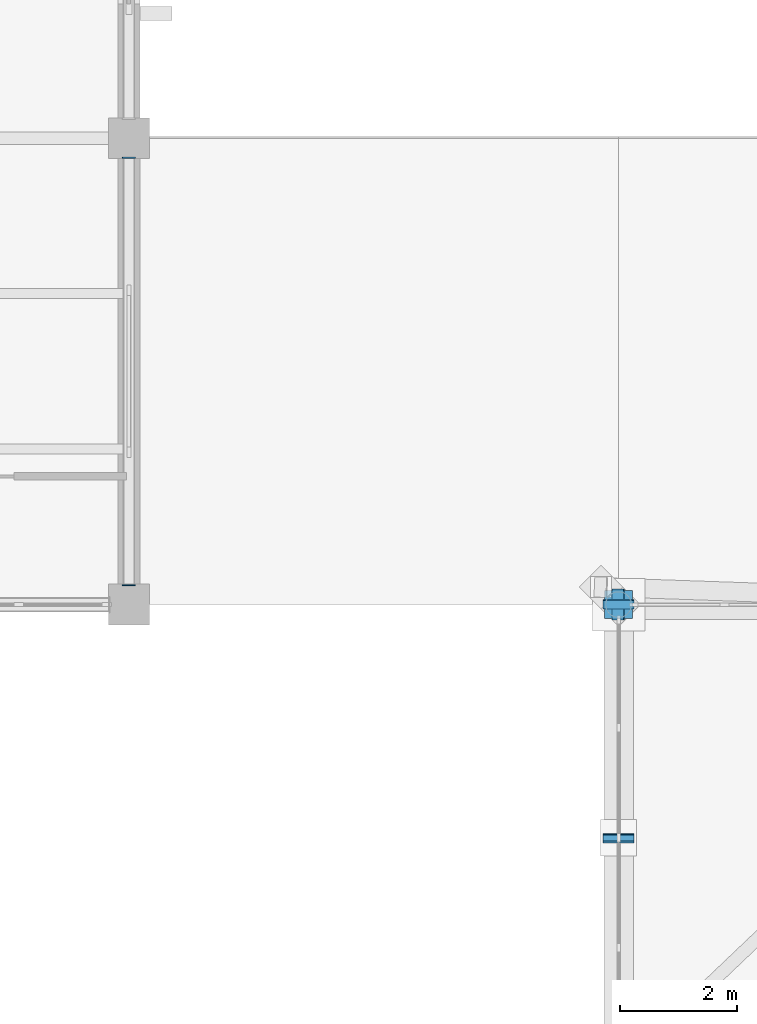
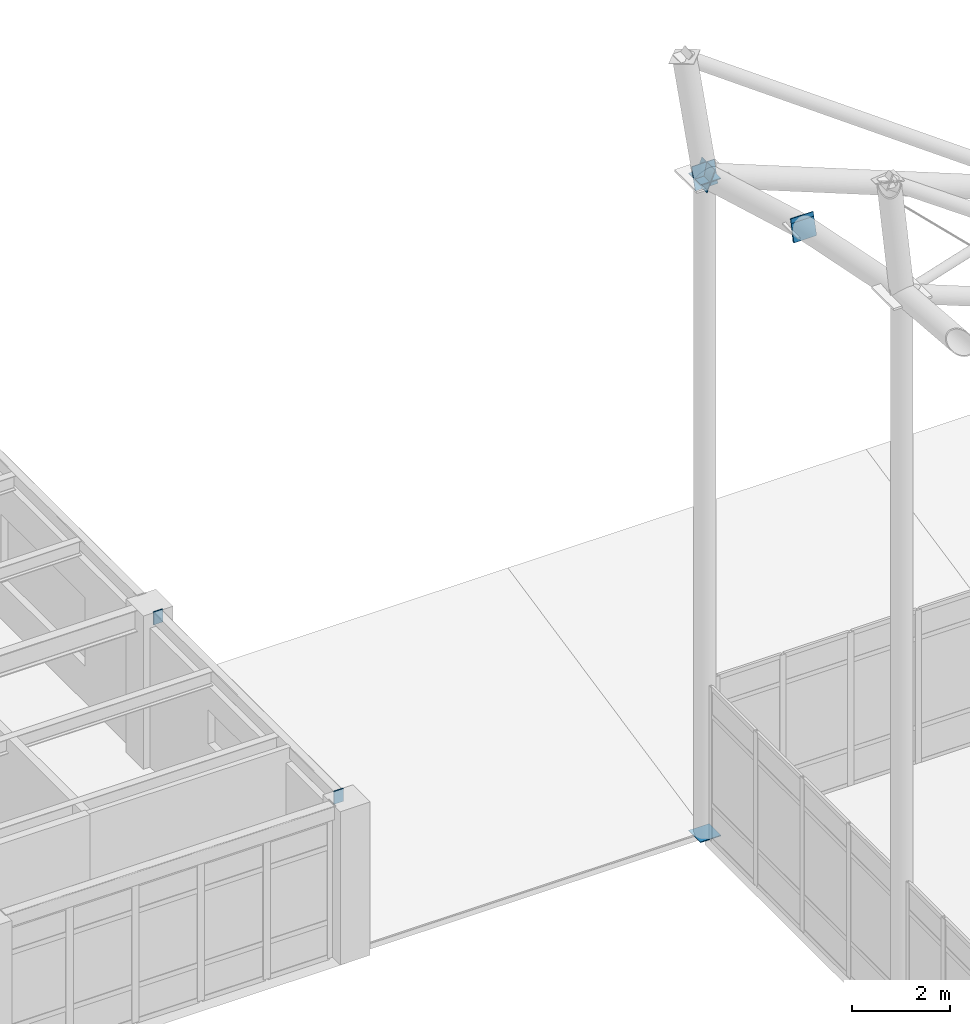
# One storey, part 104 of 138: 8 discrete accessories.
"""IFC4 building model written with IfcOpenShell, lengths in metres."""

from ifc_helpers import new_model, si_unit, direction, frame, origin, origin_2d, place, context, subcontext, project, spatial, rectangle, extrude, material, layer, layer_set, type_object, element, save


model = new_model("IFC4")

# Units and contexts
model_context = context("Model", 3, precision=1e-05, world=origin(), true_north=direction((0.0, 1.0)))
body_context = subcontext(model_context, "Body", "Model", "MODEL_VIEW")
ifc_project = project(units=[si_unit("LENGTHUNIT", "METRE"), si_unit("AREAUNIT", "SQUARE_METRE"), si_unit("VOLUMEUNIT", "CUBIC_METRE"), si_unit("PLANEANGLEUNIT", "RADIAN"), si_unit("MASSUNIT", "GRAM", prefix="KILO")], contexts=[model_context])

# Site, building, storey
site_placement = place(None, origin())
site = spatial("IfcSite", under=ifc_project, at=site_placement, CompositionType="ELEMENT")
building_placement = place(site_placement, origin())
building = spatial("IfcBuilding", under=site, at=building_placement, Name="Kranzveld Transit Interchange", CompositionType="ELEMENT")
storey_placement = place(building_placement, frame((0.0, 0.0, 5.43994140625)))
storey = spatial("IfcBuildingStorey", under=building, at=storey_placement, Name="L01", CompositionType="ELEMENT", Elevation=5.43994140625)

# Discrete accessories
ifc_material = material(Name="Steel S355JR", Category="steel")
ifc_layer = layer(ifc_material, 0.02001953125)
ifc_layer_set = layer_set([ifc_layer], Name="Steel S355JR")
discrete_accessory_type = type_object("IfcDiscreteAccessoryType", Name="Hollow Section End Cap Bracket 20 S355JR", PredefinedType="BRACKET", material=ifc_layer_set)
for number, where, z_axis, x_axis, name in (
    (1, (58.800048828125, 88.0, 0.004150390625), (0.0, 0.0, -1.0), (1.0, 0.0, 0.0), "Hollow Section End Cap C-CHS457-1"),
    (2, (58.800048828125, 88.0, 16.276123046875), (0.0, 0.0, 1.0), (1.0, 0.0, 0.0), "Hollow Section End Cap C-CHS457-2"),
):
    element("IfcDiscreteAccessory", number, at=place(storey_placement, frame(where, z_axis=z_axis, x_axis=x_axis)), inside=storey, type_object=discrete_accessory_type, Name=name, PredefinedType="BRACKET", context=body_context, shape_type="SweptSolid", body=[
        extrude(rectangle(XDim=0.48095703125, YDim=0.48095703125, at=origin_2d()), origin(), (0.0, 0.0, 1.0), 0.02001953125),
    ])
for number, where, z_axis, x_axis, name in (
    (3, (50.39990234375, 88.343994140625, 3.650146484375), (0.0, -1.0, 0.0), (1.0, 0.0, 0.0), "Hollow Section End Cap SP-RHS300-1"),
    (4, (50.39990234375, 95.656005859375, 3.650146484375), (0.0, 1.0, 0.0), (-1.0, 0.0, 0.0), "Hollow Section End Cap SP-RHS300-2"),
):
    element("IfcDiscreteAccessory", number, at=place(storey_placement, frame(where, z_axis=z_axis, x_axis=x_axis)), inside=storey, type_object=discrete_accessory_type, Name=name, PredefinedType="BRACKET", context=body_context, shape_type="SweptSolid", body=[
        extrude(rectangle(XDim=0.22412109375, YDim=0.323974609375, at=origin_2d()), origin(), (0.0, 0.0, 1.0), 0.02001953125),
    ])
for number, where, z_axis, x_axis, name in (
    (5, (58.8037109375, 88.0, 16.30859375), (-0.930155221331, 0.0, 0.367166534736), (0.0, -1.0, 0.0), "Hollow Section End Cap B-RNG508-2"),
    (6, (58.800048828125, 87.99609375, 16.31103515625), (0.0, 0.963343002143, -0.268272734774), (-1.0, 0.0, 0.0), "Hollow Section End Cap B-RNG508-1"),
    (7, (58.800048828125, 84.00390625, 17.446533203125), (0.0, -0.963343002143, 0.268272734774), (1.0, 0.0, 0.0), "Hollow Section End Cap B-RNG508-2"),
    (8, (58.800048828125, 83.99609375, 17.4482421875), (0.0, 0.980580675691, -0.196116135138), (-1.0, 0.0, 0.0), "Hollow Section End Cap B-RNG508-1"),
):
    element("IfcDiscreteAccessory", number, at=place(storey_placement, frame(where, z_axis=z_axis, x_axis=x_axis)), inside=storey, type_object=discrete_accessory_type, Name=name, PredefinedType="BRACKET", context=body_context, shape_type="SweptSolid", body=[
        extrude(rectangle(XDim=0.531982421875, YDim=0.531982421875, at=origin_2d()), origin(), (0.0, 0.0, 1.0), 0.02001953125),
    ])

save(model, "model.ifc")
